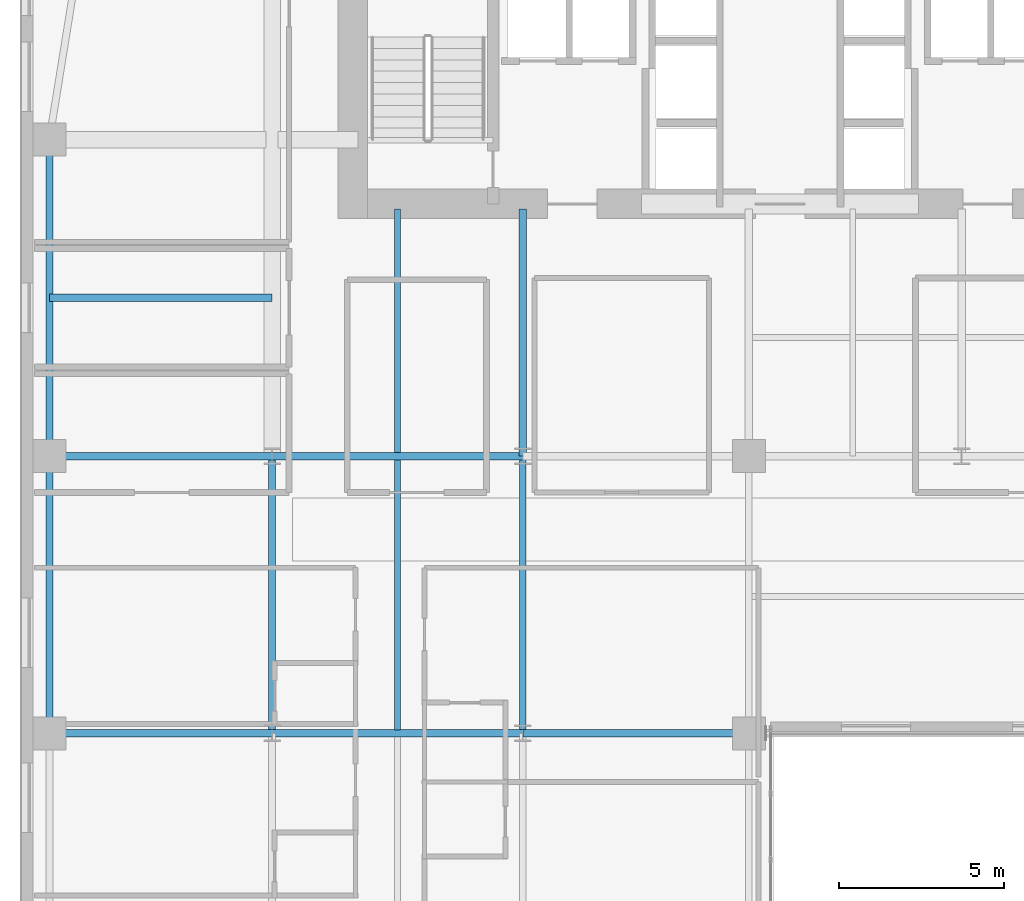
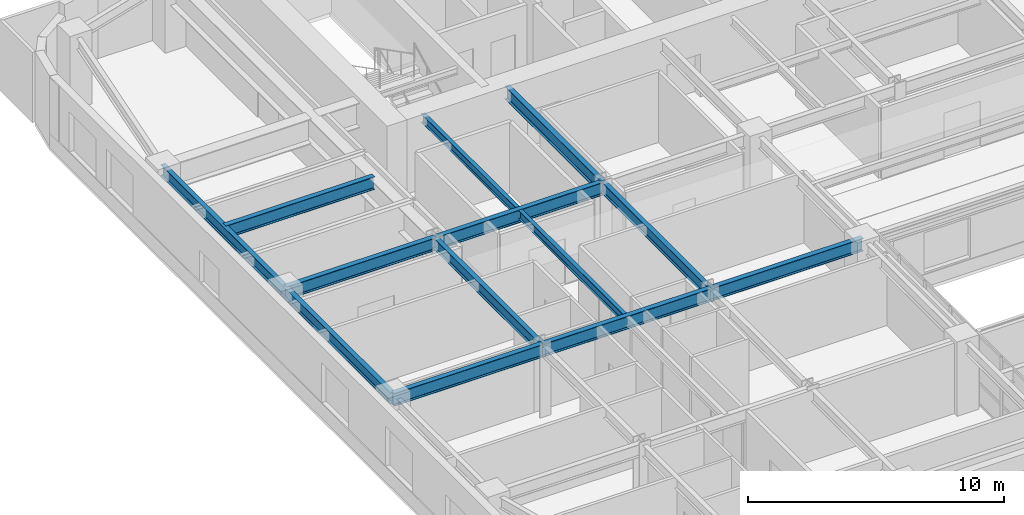
# One storey, part 5 of 31: 13 beams.
"""IFC4 building model written with IfcOpenShell, lengths in metres."""

import ifcopenshell
import ifcopenshell.guid

model = None  # the IFC model being written
_history = None  # IfcOwnerHistory: only IFC2X3 demands one
_inside = {}  # id of a spatial element -> (the spatial element, [elements in it])
_under = {}  # id of a project, library or spatial element -> (it, [spatial elements below it])
_declared = {}  # id of a project -> (the project, [libraries it declares])
_typed = {}  # id of a type object -> (the type object, [elements of that type])
_made_of = {}  # id of a material, layer set ... -> (it, [elements and type objects made of it])


def new_model(schema):
    """Start an empty IFC model of exactly this schema.

    Asked for "IFC4X3", IfcOpenShell would pick the latest addendum, in which some entities
    have other attributes; the version numbers below select the first issue.
    IFC2X3 requires an IfcOwnerHistory on every rooted entity: one is made here for all.
    """
    global model, _history
    if schema == "IFC4X3":
        model = ifcopenshell.file(schema_version=(4, 3, 0, 0))
    else:
        model = ifcopenshell.file(schema=schema)
    _inside.clear()
    _under.clear()
    _declared.clear()
    _typed.clear()
    _made_of.clear()
    _history = None
    if model.schema == "IFC2X3":
        org = make("IfcOrganization", Name="unknown")
        user = make(
            "IfcPersonAndOrganization",
            ThePerson=make("IfcPerson", FamilyName="unknown"),
            TheOrganization=org,
        )
        app = make(
            "IfcApplication",
            ApplicationDeveloper=org,
            Version="unknown",
            ApplicationFullName="unknown",
            ApplicationIdentifier="unknown",
        )
        _history = make(
            "IfcOwnerHistory",
            OwningUser=user,
            OwningApplication=app,
            ChangeAction="ADDED",
            CreationDate=0,
        )
    return model


def make(cls, **values):
    """One entity of the class cls with the attributes given. An attribute that is None is left unset."""
    return model.create_entity(
        cls, **{name: value for name, value in values.items() if value is not None}
    )


def rooted(cls, **values):
    """An entity with a GlobalId (a new one), such as an element, a storey or a relation."""
    return make(cls, GlobalId=ifcopenshell.guid.new(), OwnerHistory=_history, **values)


def si_unit(unit_type, name, prefix=None):
    """IfcSIUnit, for example si_unit("LENGTHUNIT", "METRE", prefix="MILLI")."""
    return make("IfcSIUnit", UnitType=unit_type, Prefix=prefix, Name=name)


def assignment(units):
    """IfcUnitAssignment: the units of a project."""
    return None if units is None else make("IfcUnitAssignment", Units=units)


def point(xyz):
    """IfcCartesianPoint."""
    return None if xyz is None else make("IfcCartesianPoint", Coordinates=xyz)


def direction(xyz):
    """IfcDirection."""
    return None if xyz is None else make("IfcDirection", DirectionRatios=xyz)


def frame(location, z_axis=None, x_axis=None):
    """IfcAxis2Placement3D, a coordinate frame: its origin and axes. An axis left out is left unset."""
    return make(
        "IfcAxis2Placement3D",
        Location=point(location),
        Axis=direction(z_axis),
        RefDirection=direction(x_axis),
    )


def frame_2d(location, x_axis=None):
    """IfcAxis2Placement2D, a coordinate frame in the plane: its origin and x axis."""
    return make(
        "IfcAxis2Placement2D", Location=point(location), RefDirection=direction(x_axis)
    )


def origin():
    """The frame at (0, 0, 0) with its axes left unset."""
    return frame((0.0, 0.0, 0.0))


def origin_2d():
    """The frame at (0, 0) in the plane with its x axis left unset."""
    return frame_2d((0.0, 0.0))


def place(relative_to, where):
    """IfcLocalPlacement: puts the frame where relative to a parent placement (None: the world)."""
    return make(
        "IfcLocalPlacement", PlacementRelTo=relative_to, RelativePlacement=where
    )


def context(
    kind, dimensions, precision=None, world=None, true_north=None, identifier=None
):
    """IfcGeometricRepresentationContext, for example the 3D "Model" context."""
    return make(
        "IfcGeometricRepresentationContext",
        ContextIdentifier=identifier,
        ContextType=kind,
        CoordinateSpaceDimension=dimensions,
        Precision=precision,
        WorldCoordinateSystem=world,
        TrueNorth=true_north,
    )


def subcontext(parent, identifier, kind, view, scale=None):
    """IfcGeometricRepresentationSubContext, for example "Body" below "Model"."""
    return make(
        "IfcGeometricRepresentationSubContext",
        ContextIdentifier=identifier,
        ContextType=kind,
        ParentContext=parent,
        TargetScale=scale,
        TargetView=view,
    )


def project(units=None, contexts=None):
    """IfcProject with its units and contexts."""
    return rooted(
        "IfcProject",
        Name="project",
        RepresentationContexts=contexts,
        UnitsInContext=assignment(units),
    )


def spatial(cls, under=None, at=None, **own):
    """A site, building, storey or space (cls), placed at a placement, below another one or the project."""
    s = rooted(cls, ObjectPlacement=at, **own)
    if under is not None:
        _under.setdefault(under.id(), (under, []))[1].append(s)
    return s


def profile(cls, at=None, kind="AREA", **sizes):
    """A parametric profile (cls). Its sizes go by their IFC names, for example OverallWidth=200.0."""
    return make(cls, ProfileType=kind, Position=at, **sizes)


def i_section(**sizes):
    """IfcIShapeProfileDef."""
    return profile("IfcIShapeProfileDef", **sizes)


def extrude(swept, where, along, depth):
    """IfcExtrudedAreaSolid: the profile swept, set in the frame where, extruded along a direction by depth."""
    return make(
        "IfcExtrudedAreaSolid",
        SweptArea=swept,
        Position=where,
        ExtrudedDirection=direction(along),
        Depth=depth,
    )


def shape(context_of_items, identifier, shape_type, items):
    """IfcShapeRepresentation: the items that make up one representation, for example the "Body"."""
    return make(
        "IfcShapeRepresentation",
        ContextOfItems=context_of_items,
        RepresentationIdentifier=identifier,
        RepresentationType=shape_type,
        Items=items,
    )


def source(mapping_origin, context_of_items, identifier, shape_type, items):
    """IfcRepresentationMap: a shape defined once, which mapped items show again and again."""
    return make(
        "IfcRepresentationMap",
        MappingOrigin=mapping_origin,
        MappedRepresentation=shape(context_of_items, identifier, shape_type, items),
    )


def transform(
    local_origin,
    x_axis=None,
    y_axis=None,
    z_axis=None,
    scale=None,
    scale2=None,
    scale3=None,
    uniform=True,
):
    """IfcCartesianTransformationOperator3D, or its non-uniform kind. x_axis, y_axis, z_axis: its Axis1, 2, 3."""
    if uniform:
        return make(
            "IfcCartesianTransformationOperator3D",
            Axis1=direction(x_axis),
            Axis2=direction(y_axis),
            LocalOrigin=point(local_origin),
            Scale=scale,
            Axis3=direction(z_axis),
        )
    return make(
        "IfcCartesianTransformationOperator3DnonUniform",
        Axis1=direction(x_axis),
        Axis2=direction(y_axis),
        LocalOrigin=point(local_origin),
        Scale=scale,
        Axis3=direction(z_axis),
        Scale2=scale2,
        Scale3=scale3,
    )


def mapped(mapping_source, mapping_target):
    """IfcMappedItem: shows the shape of a source again, moved by a transform."""
    return make(
        "IfcMappedItem", MappingSource=mapping_source, MappingTarget=mapping_target
    )


def material(Name=None, Category=None):
    """IfcMaterial."""
    return make("IfcMaterial", Name=Name, Category=Category)


def material_profile(
    of_material, cross_section, Name=None, Category=None, Priority=None
):
    """IfcMaterialProfile: a cross section and its material."""
    return make(
        "IfcMaterialProfile",
        Name=Name,
        Material=of_material,
        Profile=cross_section,
        Priority=Priority,
        Category=Category,
    )


def profile_set(profiles, Name=None, composite=None):
    """IfcMaterialProfileSet."""
    return make(
        "IfcMaterialProfileSet",
        Name=Name,
        MaterialProfiles=profiles,
        CompositeProfile=composite,
    )


def made_of(thing, what):
    """Note that an element or type object is made of a material, layer set ...; save() writes the relation."""
    if what is not None:
        _made_of.setdefault(what.id(), (what, []))[1].append(thing)
    return thing


def type_object(cls, material=None, **own):
    """A type object (cls), such as IfcWallType, which elements share."""
    return made_of(rooted(cls, **own), material)


def type_shapes(of_type, sources):
    """Give a type object the sources (RepresentationMaps) that its elements show as mapped items."""
    of_type.RepresentationMaps = sources


def element(
    cls,
    number,
    at=None,
    inside=None,
    cuts=None,
    type_object=None,
    material=None,
    context=None,
    identifier="Body",
    shape_type=None,
    held_by="IfcProductDefinitionShape",
    body=None,
    shapes=None,
    **own,
):
    """One element of the class cls, such as IfcWall. Its Tag is "e" and its number.

    at: its placement. inside: the storey or other place that contains it. cuts: it is an
    opening in that element (IfcRelVoidsElement). A single representation is given by context,
    identifier, shape_type and body (its items); several are given by shapes. held_by: the class
    of the entity that holds the representations. save() writes the other relations.
    """
    e = rooted(cls, Tag="e%d" % number, ObjectPlacement=at, **own)
    if body is not None:
        shapes = [shape(context, identifier, shape_type, body)]
    if shapes is not None:
        e.Representation = make(held_by, Representations=shapes)
    if inside is not None:
        _inside.setdefault(inside.id(), (inside, []))[1].append(e)
    if cuts is not None:
        rooted(
            "IfcRelVoidsElement", RelatingBuildingElement=cuts, RelatedOpeningElement=e
        )
    if type_object is not None:
        _typed.setdefault(type_object.id(), (type_object, []))[1].append(e)
    return made_of(e, material)


def aggregate(whole, parts):
    """IfcRelAggregates: a whole, such as a stair, and the parts it consists of."""
    return rooted("IfcRelAggregates", RelatingObject=whole, RelatedObjects=parts)


def save(model, path):
    """Write the relations noted so far, then the file.

    IfcRelAggregates (storeys below a building ...), IfcRelContainedInSpatialStructure (elements
    in a storey), IfcRelDefinesByType, IfcRelAssociatesMaterial and IfcRelDeclares: one each for
    every whole, place, type object, material and project.
    """
    for whole, parts in _under.values():
        aggregate(whole, parts)
    for where, things in _inside.values():
        rooted(
            "IfcRelContainedInSpatialStructure",
            RelatedElements=things,
            RelatingStructure=where,
        )
    for kind, things in _typed.values():
        rooted("IfcRelDefinesByType", RelatedObjects=things, RelatingType=kind)
    for what, things in _made_of.values():
        rooted("IfcRelAssociatesMaterial", RelatedObjects=things, RelatingMaterial=what)
    for by, libraries in _declared.values():
        rooted("IfcRelDeclares", RelatingContext=by, RelatedDefinitions=libraries)
    model.write(path)


model = new_model("IFC4")

# Units and contexts
model_context = context("Model", 3, precision=1e-05, world=origin(), true_north=direction((0.0, 1.0)))
body_context = subcontext(model_context, "Body", "Model", "MODEL_VIEW")
ifc_project = project(units=[si_unit("LENGTHUNIT", "METRE"), si_unit("AREAUNIT", "SQUARE_METRE"), si_unit("VOLUMEUNIT", "CUBIC_METRE"), si_unit("PLANEANGLEUNIT", "RADIAN"), si_unit("MASSUNIT", "GRAM", prefix="KILO")], contexts=[model_context])

# Site, building, storey
site_placement = place(None, origin())
site = spatial("IfcSite", under=ifc_project, at=site_placement, CompositionType="ELEMENT")
building_placement = place(site_placement, origin())
building = spatial("IfcBuilding", under=site, at=building_placement, Name="Tolvann Quenvar Hotel", CompositionType="ELEMENT")
storey_placement = place(building_placement, frame((0.0, 0.0, 74.60009765625)))
storey = spatial("IfcBuildingStorey", under=building, at=storey_placement, Name="L18", CompositionType="ELEMENT", Elevation=74.60009765625)

# Beams
ifc_material = material(Name="Steel Grade 350", Category="steel")
ifc_material_profile_1 = material_profile(ifc_material, i_section(OverallWidth=0.22900390625, OverallDepth=0.612060546875, WebThickness=0.011962890625, FlangeThickness=0.01953125, FilletRadius=0.013916015625, at=origin_2d()), Name="610UB125")
ifc_profile_set_1 = profile_set([ifc_material_profile_1], Name="Steel Grade 350")
beam_type_1 = type_object("IfcBeamType", Name="BM_GIRD_610UB125", PredefinedType="BEAM", material=ifc_profile_set_1)
shared_shape_1 = source(origin(), body_context, "Body", "SweptSolid", [
    extrude(i_section(OverallWidth=0.22900390625, OverallDepth=0.612060546875, WebThickness=0.011962890625, FlangeThickness=0.01953125, FilletRadius=0.013916015625, at=origin_2d()), origin(), (0.0, 0.0, 1.0), 6.75),
])
for number, where, z_axis, x_axis, name in (
    (1, (0.85009765625, 16.0, 3.06396484375), (1.0, 0.0, 0.0), (0.0, 1.0, 0.0), "BM-L18-EW-4-B4-C4"),
    (2, (0.85009765625, 24.39990234375, 3.06396484375), (1.0, 0.0, 0.0), (0.0, 1.0, 0.0), "BM-L18-EW-5-B5-C5"),
    (3, (0.85009765625, 29.199951171875, 3.06396484375), (1.0, 0.0, 0.0), (0.0, 1.0, 0.0), "BM-L18-EW-BC29"),
):
    element("IfcBeam", number, at=place(storey_placement, frame(where, z_axis=z_axis, x_axis=x_axis)), inside=storey, type_object=beam_type_1, Name=name, PredefinedType="BEAM", context=body_context, shape_type="MappedRepresentation", body=[
        mapped(shared_shape_1, transform((0.0, 0.0, 0.0), x_axis=(1.0, 0.0, 0.0), y_axis=(0.0, 1.0, 0.0), z_axis=(0.0, 0.0, 1.0), scale=1.0)),
    ])
shared_shape_2 = source(origin(), body_context, "Body", "SweptSolid", [
    extrude(i_section(OverallWidth=0.22900390625, OverallDepth=0.612060546875, WebThickness=0.011962890625, FlangeThickness=0.01953125, FilletRadius=0.013916015625, at=origin_2d()), origin(), (0.0, 0.0, 1.0), 7.599853515625),
])
for number, where, z_axis, x_axis, name in (
    (4, (7.60009765625, 16.0, 3.06396484375), (1.0, 0.0, 0.0), (0.0, 1.0, 0.0), "BM-L18-EW-4-C4-D4"),
    (5, (7.60009765625, 24.39990234375, 3.06396484375), (1.0, 0.0, 0.0), (0.0, 1.0, 0.0), "BM-L18-EW-5-C5-D5"),
):
    element("IfcBeam", number, at=place(storey_placement, frame(where, z_axis=z_axis, x_axis=x_axis)), inside=storey, type_object=beam_type_1, Name=name, PredefinedType="BEAM", context=body_context, shape_type="MappedRepresentation", body=[
        mapped(shared_shape_2, transform((0.0, 0.0, 0.0), x_axis=(1.0, 0.0, 0.0), y_axis=(0.0, 1.0, 0.0), z_axis=(0.0, 0.0, 1.0), scale=1.0)),
    ])
shared_shape_3 = source(origin(), body_context, "Body", "SweptSolid", [
    extrude(i_section(OverallWidth=0.22900390625, OverallDepth=0.612060546875, WebThickness=0.011962890625, FlangeThickness=0.01953125, FilletRadius=0.013916015625, at=origin_2d()), origin(), (0.0, 0.0, 1.0), 6.85009765625),
])
beam_1_placement = place(storey_placement, frame((15.199951171875, 16.0, 3.06396484375), z_axis=(1.0, 0.0, 0.0), x_axis=(0.0, 1.0, 0.0)))
element("IfcBeam", 6, at=beam_1_placement, inside=storey, type_object=beam_type_1, Name="BM-L18-EW-4-D4-E4", PredefinedType="BEAM", context=body_context, shape_type="MappedRepresentation", body=[
    mapped(shared_shape_3, transform((0.0, 0.0, 0.0), x_axis=(1.0, 0.0, 0.0), y_axis=(0.0, 1.0, 0.0), z_axis=(0.0, 0.0, 1.0), scale=1.0)),
])
ifc_material_profile_2 = material_profile(ifc_material, i_section(OverallWidth=0.208984375, OverallDepth=0.528076171875, WebThickness=0.009521484375, FlangeThickness=0.01318359375, FilletRadius=0.013916015625, at=origin_2d()), Name="530UB82")
ifc_profile_set_2 = profile_set([ifc_material_profile_2], Name="Steel Grade 350")
beam_type_2 = type_object("IfcBeamType", Name="BM_SPAND_530UB82", PredefinedType="SPANDREL", material=ifc_profile_set_2)
shared_shape_4 = source(origin(), body_context, "Body", "SweptSolid", [
    extrude(i_section(OverallWidth=0.208984375, OverallDepth=0.528076171875, WebThickness=0.009521484375, FlangeThickness=0.01318359375, FilletRadius=0.013916015625, at=origin_2d()), origin(), (0.0, 0.0, 1.0), 8.39990234375),
])
beam_2_placement = place(storey_placement, frame((0.85009765625, 16.0, 3.10595703125), z_axis=(0.0, 1.0, 0.0), x_axis=(-1.0, 0.0, 0.0)))
element("IfcBeam", 7, at=beam_2_placement, inside=storey, type_object=beam_type_2, Name="BM-L18-NS-B4-B5", PredefinedType="SPANDREL", context=body_context, shape_type="MappedRepresentation", body=[
    mapped(shared_shape_4, transform((0.0, 0.0, 0.0), x_axis=(1.0, 0.0, 0.0), y_axis=(0.0, 1.0, 0.0), z_axis=(0.0, 0.0, 1.0), scale=1.0)),
])
ifc_material_profile_3 = material_profile(ifc_material, i_section(OverallWidth=0.208984375, OverallDepth=0.532958984375, WebThickness=0.01025390625, FlangeThickness=0.015625, FilletRadius=0.013916015625, at=origin_2d()), Name="530UB92")
ifc_profile_set_3 = profile_set([ifc_material_profile_3], Name="Steel Grade 350")
beam_type_3 = type_object("IfcBeamType", Name="BM_GIRD_530UB92", PredefinedType="BEAM", material=ifc_profile_set_3)
shared_shape_5 = source(origin(), body_context, "Body", "SweptSolid", [
    extrude(i_section(OverallWidth=0.208984375, OverallDepth=0.532958984375, WebThickness=0.01025390625, FlangeThickness=0.015625, FilletRadius=0.013916015625, at=origin_2d()), origin(), (0.0, 0.0, 1.0), 8.39990234375),
])
type_shapes(beam_type_3, [shared_shape_5])
for number, where, z_axis, x_axis, name in (
    (8, (7.60009765625, 16.0, 3.103515625), (0.0, 1.0, 0.0), (-1.0, 0.0, 0.0), "BM-L18-NS-C4-C5"),
    (9, (15.199951171875, 16.0, 3.103515625), (0.0, 1.0, 0.0), (-1.0, 0.0, 0.0), "BM-L18-NS-D4-D5"),
):
    element("IfcBeam", number, at=place(storey_placement, frame(where, z_axis=z_axis, x_axis=x_axis)), inside=storey, type_object=beam_type_3, Name=name, PredefinedType="BEAM", context=body_context, shape_type="MappedRepresentation", body=[
        mapped(shared_shape_5, transform((0.0, 0.0, 0.0), x_axis=(1.0, 0.0, 0.0), y_axis=(0.0, 1.0, 0.0), z_axis=(0.0, 0.0, 1.0), scale=1.0)),
    ])
shared_shape_6 = source(origin(), body_context, "Body", "SweptSolid", [
    extrude(i_section(OverallWidth=0.22900390625, OverallDepth=0.612060546875, WebThickness=0.011962890625, FlangeThickness=0.01953125, FilletRadius=0.013916015625, at=origin_2d()), origin(), (0.0, 0.0, 1.0), 7.5),
])
type_shapes(beam_type_1, [shared_shape_1, shared_shape_2, shared_shape_3, shared_shape_6])
beam_3_placement = place(storey_placement, frame((15.199951171875, 24.39990234375, 3.06396484375), z_axis=(0.0, 1.0, 0.0), x_axis=(-1.0, 0.0, 0.0)))
element("IfcBeam", 10, at=beam_3_placement, inside=storey, type_object=beam_type_1, Name="BM-L18-CORE-D5", PredefinedType="BEAM", context=body_context, shape_type="MappedRepresentation", body=[
    mapped(shared_shape_6, transform((0.0, 0.0, 0.0), x_axis=(1.0, 0.0, 0.0), y_axis=(0.0, 1.0, 0.0), z_axis=(0.0, 0.0, 1.0), scale=1.0)),
])
shared_shape_7 = source(origin(), body_context, "Body", "SweptSolid", [
    extrude(i_section(OverallWidth=0.208984375, OverallDepth=0.528076171875, WebThickness=0.009521484375, FlangeThickness=0.01318359375, FilletRadius=0.013916015625, at=origin_2d()), origin(), (0.0, 0.0, 1.0), 9.60009765625),
])
type_shapes(beam_type_2, [shared_shape_4, shared_shape_7])
beam_4_placement = place(storey_placement, frame((0.85009765625, 24.39990234375, 3.10595703125), z_axis=(0.0, 1.0, 0.0), x_axis=(-1.0, 0.0, 0.0)))
element("IfcBeam", 11, at=beam_4_placement, inside=storey, type_object=beam_type_2, Name="BM-L18-FLK-W1", PredefinedType="SPANDREL", context=body_context, shape_type="MappedRepresentation", body=[
    mapped(shared_shape_7, transform((0.0, 0.0, 0.0), x_axis=(1.0, 0.0, 0.0), y_axis=(0.0, 1.0, 0.0), z_axis=(0.0, 0.0, 1.0), scale=1.0)),
])
ifc_material_profile_4 = material_profile(ifc_material, i_section(OverallWidth=0.177978515625, OverallDepth=0.406005859375, WebThickness=0.0078125, FlangeThickness=0.0126953125, FilletRadius=0.011474609375, at=origin_2d()), Name="410UB60")
ifc_profile_set_4 = profile_set([ifc_material_profile_4], Name="Steel Grade 350")
beam_type_4 = type_object("IfcBeamType", Name="BM_JOIST_410UB60", PredefinedType="JOIST", material=ifc_profile_set_4)
shared_shape_8 = source(origin(), body_context, "Body", "SweptSolid", [
    extrude(i_section(OverallWidth=0.177978515625, OverallDepth=0.406005859375, WebThickness=0.0078125, FlangeThickness=0.0126953125, FilletRadius=0.011474609375, at=origin_2d()), origin(), (0.0, 0.0, 1.0), 8.18310546875),
])
beam_5_placement = place(storey_placement, frame((11.39990234375, 16.1083984375, 3.1669921875), z_axis=(0.0, 1.0, 0.0), x_axis=(-1.0, 0.0, 0.0)))
element("IfcBeam", 12, at=beam_5_placement, inside=storey, type_object=beam_type_4, Name="BJ-L18-114-160", PredefinedType="JOIST", context=body_context, shape_type="MappedRepresentation", body=[
    mapped(shared_shape_8, transform((0.0, 0.0, 0.0), x_axis=(1.0, 0.0, 0.0), y_axis=(0.0, 1.0, 0.0), z_axis=(0.0, 0.0, 1.0), scale=1.0)),
])
shared_shape_9 = source(origin(), body_context, "Body", "SweptSolid", [
    extrude(i_section(OverallWidth=0.177978515625, OverallDepth=0.406005859375, WebThickness=0.0078125, FlangeThickness=0.0126953125, FilletRadius=0.011474609375, at=origin_2d()), origin(), (0.0, 0.0, 1.0), 7.391357421875),
])
type_shapes(beam_type_4, [shared_shape_8, shared_shape_9])
beam_6_placement = place(storey_placement, frame((11.39990234375, 24.508544921875, 3.1669921875), z_axis=(0.0, 1.0, 0.0), x_axis=(-1.0, 0.0, 0.0)))
element("IfcBeam", 13, at=beam_6_placement, inside=storey, type_object=beam_type_4, Name="BJ-L18-114-244", PredefinedType="JOIST", context=body_context, shape_type="MappedRepresentation", body=[
    mapped(shared_shape_9, transform((0.0, 0.0, 0.0), x_axis=(1.0, 0.0, 0.0), y_axis=(0.0, 1.0, 0.0), z_axis=(0.0, 0.0, 1.0), scale=1.0)),
])

save(model, "model.ifc")
